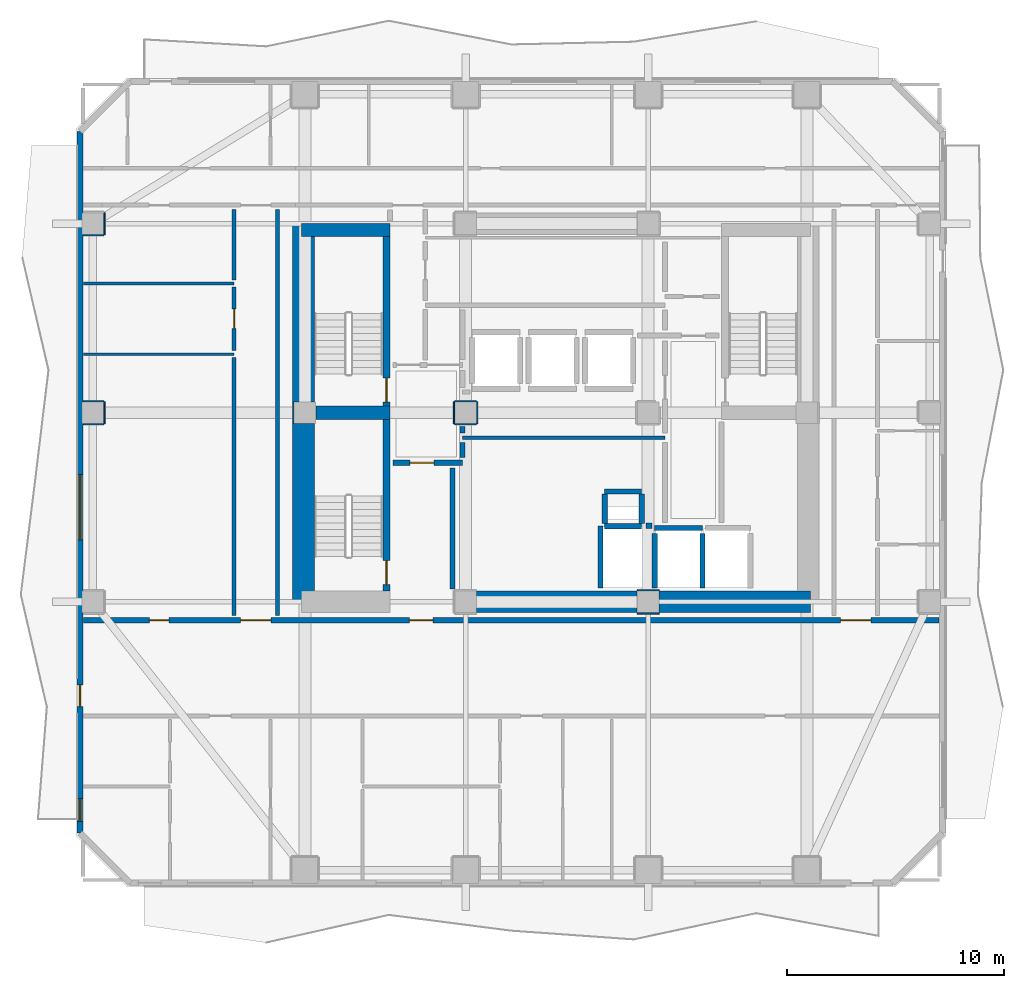
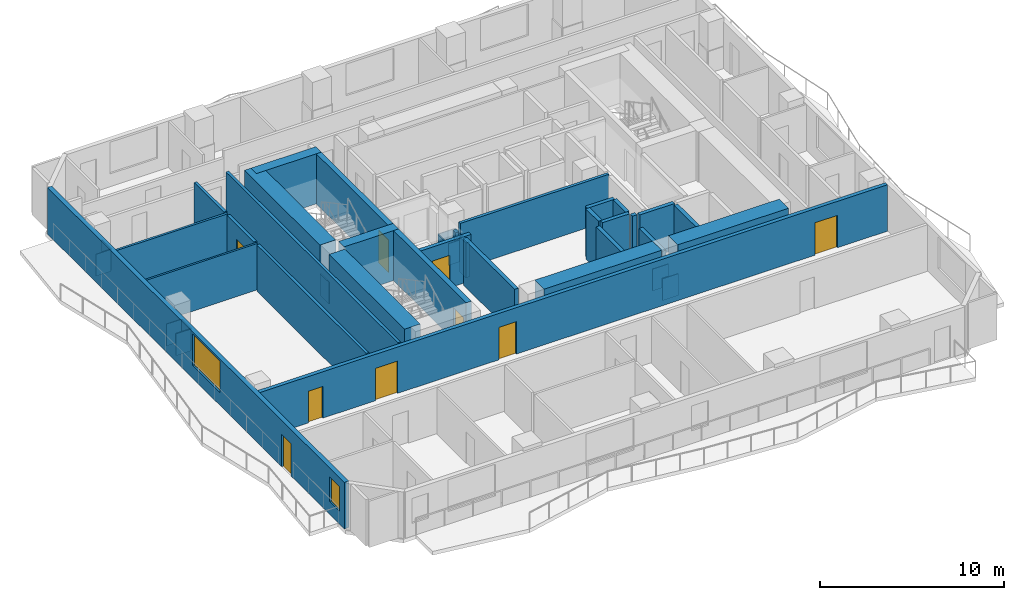
# One storey, part 3 of 10: 42 walls, 9 doors, 2 windows, 11 openings.
"""IFC4 building model written with IfcOpenShell, lengths in metres."""

from ifc_helpers import new_model, si_unit, direction, frame, frame_2d, origin, place, context, subcontext, project, spatial, rectangle, extrude, material, layer, layer_set, type_object, element, fill, save


model = new_model("IFC4")

# Units and contexts
model_context = context("Model", 3, precision=1e-05, world=origin(), true_north=direction((0.0, 1.0)))
body_context = subcontext(model_context, "Body", "Model", "MODEL_VIEW")
ifc_project = project(units=[si_unit("LENGTHUNIT", "METRE"), si_unit("AREAUNIT", "SQUARE_METRE"), si_unit("VOLUMEUNIT", "CUBIC_METRE"), si_unit("PLANEANGLEUNIT", "RADIAN"), si_unit("MASSUNIT", "GRAM", prefix="KILO")], contexts=[model_context])

# Site, building, storey
site_placement = place(None, origin())
site = spatial("IfcSite", under=ifc_project, at=site_placement, CompositionType="ELEMENT")
building_placement = place(site_placement, origin())
building = spatial("IfcBuilding", under=site, at=building_placement, Name="Solanera Arch Residences", CompositionType="ELEMENT")
storey_placement = place(building_placement, frame((0.0, 0.0, 119.360107421875)))
storey = spatial("IfcBuildingStorey", under=building, at=storey_placement, Name="L34", CompositionType="ELEMENT", Elevation=119.360107421875)

# Walls
ifc_material_1 = material(Name="Fire-Rated Gypsum Stud Partition", Category="gypsum")
ifc_layer_1 = layer(ifc_material_1, 0.06005859375)
ifc_layer_set_1 = layer_set([ifc_layer_1], Name="Fire-Rated Gypsum Stud Partition")
wall_type_1 = type_object("IfcWallType", Name="Column Acoustic Furring Wall 60", PredefinedType="PARTITIONING", material=ifc_layer_set_1)
for number, where, z_axis, x_axis, name in (
    (1, (28.699951171875, 21.468017578125, 0.0), (0.0, 0.0, 1.0), (1.0, 0.0, 0.0), "L34 Column Furring 2S"),
    (2, (28.699951171875, 22.531982421875, 0.0), (0.0, 0.0, 1.0), (1.0, 0.0, 0.0), "L34 Column Furring 2N"),
):
    element("IfcWall", number, at=place(storey_placement, frame(where, z_axis=z_axis, x_axis=x_axis)), inside=storey, type_object=wall_type_1, Name=name, PredefinedType="PARTITIONING", context=body_context, shape_type="SweptSolid", body=[
        extrude(rectangle(XDim=1.0, YDim=0.06005859375, at=frame_2d((0.5, 0.0))), origin(), (0.0, 0.0, 1.0), 1.449951171875),
    ])
wall_1_placement = place(storey_placement, frame((12.867919921875, 30.2099609375, 0.0), z_axis=(0.0, 0.0, 1.0), x_axis=(0.0, 1.0, 0.0)))
element("IfcWall", 3, at=wall_1_placement, inside=storey, type_object=wall_type_1, Name="L34 Column Furring 5W", PredefinedType="PARTITIONING", context=body_context, shape_type="SweptSolid", body=[
    extrude(rectangle(XDim=0.97998046875, YDim=0.06005859375, at=frame_2d((0.489990234375, 0.0))), origin(), (0.0, 0.0, 1.0), 1.449951171875),
])
for number, where, z_axis, x_axis, name in (
    (4, (20.300048828125, 30.16796875, 0.0), (0.0, 0.0, 1.0), (1.0, 0.0, 0.0), "L34 Column Furring 7S"),
    (5, (20.300048828125, 31.23193359375, 0.0), (0.0, 0.0, 1.0), (1.0, 0.0, 0.0), "L34 Column Furring 7N"),
    (6, (20.26806640625, 30.199951171875, 0.0), (0.0, 0.0, 1.0), (0.0, 1.0, 0.0), "L34 Column Furring 7W"),
    (7, (21.33203125, 30.199951171875, 0.0), (0.0, 0.0, 1.0), (0.0, 1.0, 0.0), "L34 Column Furring 7E"),
):
    element("IfcWall", number, at=place(storey_placement, frame(where, z_axis=z_axis, x_axis=x_axis)), inside=storey, type_object=wall_type_1, Name=name, PredefinedType="PARTITIONING", context=body_context, shape_type="SweptSolid", body=[
        extrude(rectangle(XDim=1.0, YDim=0.06005859375, at=frame_2d((0.5, 0.0))), origin(), (0.0, 0.0, 1.0), 1.449951171875),
    ])
for number, where, z_axis, x_axis, name in (
    (8, (3.2099609375, 30.16796875, 0.0), (0.0, 0.0, 1.0), (1.0, 0.0, 0.0), "L34 Column Furring 19S"),
    (9, (3.2099609375, 31.23193359375, 0.0), (0.0, 0.0, 1.0), (1.0, 0.0, 0.0), "L34 Column Furring 19N"),
):
    element("IfcWall", number, at=place(storey_placement, frame(where, z_axis=z_axis, x_axis=x_axis)), inside=storey, type_object=wall_type_1, Name=name, PredefinedType="PARTITIONING", context=body_context, shape_type="SweptSolid", body=[
        extrude(rectangle(XDim=0.93994140625, YDim=0.06005859375, at=frame_2d((0.469970703125, 0.0))), origin(), (0.0, 0.0, 1.0), 1.449951171875),
    ])
wall_2_placement = place(storey_placement, frame((4.181884765625, 30.199951171875, 0.0), z_axis=(0.0, 0.0, 1.0), x_axis=(0.0, 1.0, 0.0)))
element("IfcWall", 10, at=wall_2_placement, inside=storey, type_object=wall_type_1, Name="L34 Column Furring 19E", PredefinedType="PARTITIONING", context=body_context, shape_type="SweptSolid", body=[
    extrude(rectangle(XDim=1.0, YDim=0.06005859375, at=frame_2d((0.5, 0.0))), origin(), (0.0, 0.0, 1.0), 1.449951171875),
])
wall_3_placement = place(storey_placement, frame((3.2099609375, 38.867919921875, 0.0), z_axis=(0.0, 0.0, 1.0), x_axis=(1.0, 0.0, 0.0)))
element("IfcWall", 11, at=wall_3_placement, inside=storey, type_object=wall_type_1, Name="L34 Column Furring 21S", PredefinedType="PARTITIONING", context=body_context, shape_type="SweptSolid", body=[
    extrude(rectangle(XDim=0.93994140625, YDim=0.06005859375, at=frame_2d((0.469970703125, 0.0))), origin(), (0.0, 0.0, 1.0), 1.449951171875),
])
wall_4_placement = place(storey_placement, frame((4.181884765625, 38.89990234375, 0.0), z_axis=(0.0, 0.0, 1.0), x_axis=(0.0, 1.0, 0.0)))
element("IfcWall", 12, at=wall_4_placement, inside=storey, type_object=wall_type_1, Name="L34 Column Furring 21E", PredefinedType="PARTITIONING", context=body_context, shape_type="SweptSolid", body=[
    extrude(rectangle(XDim=1.0, YDim=0.06005859375, at=frame_2d((0.5, 0.0))), origin(), (0.0, 0.0, 1.0), 1.449951171875),
])
ifc_material_2 = material(Name="Concrete C55/67 (f'c = 60 MPa)", Category="concrete")
ifc_layer_2 = layer(ifc_material_2, 1.0)
ifc_layer_set_2 = layer_set([ifc_layer_2], Name="Concrete C55/67 (f'c = 60 MPa)")
wall_type_2 = type_object("IfcWallType", Name="Core Shear Wall CW-1000", PredefinedType="SHEAR", material=ifc_layer_set_2)
wall_5_placement = place(storey_placement, frame((13.340087890625, 22.0, 0.0), z_axis=(0.0, 0.0, 1.0), x_axis=(0.0, 1.0, 0.0)))
element("IfcWall", 13, at=wall_5_placement, inside=storey, type_object=wall_type_2, Name="L34 West Core South Shear Wall", PredefinedType="SHEAR", context=body_context, shape_type="SweptSolid", body=[
    extrude(rectangle(XDim=8.195068359375, YDim=1.0, at=frame_2d((4.09765625, 0.0))), origin(), (0.0, 0.0, 1.0), 3.31982421875),
])
wall_6_placement = place(storey_placement, frame((13.340087890625, 31.205078125, 0.0), z_axis=(0.0, 0.0, 1.0), x_axis=(0.0, 1.0, 0.0)))
element("IfcWall", 14, at=wall_6_placement, inside=storey, type_object=wall_type_2, Name="L34 West Core North Shear Wall", PredefinedType="SHEAR", context=body_context, shape_type="SweptSolid", body=[
    extrude(rectangle(XDim=8.19482421875, YDim=1.0, at=frame_2d((4.097412109375, 0.0))), origin(), (0.0, 0.0, 1.0), 3.31982421875),
])
wall_7_placement = place(storey_placement, frame((29.705078125, 22.0, 0.0), z_axis=(0.0, 0.0, 1.0), x_axis=(1.0, 0.0, 0.0)))
element("IfcWall", 15, at=wall_7_placement, inside=storey, type_object=wall_type_2, Name="L34 South-East Core Shear Wall", PredefinedType="SHEAR", context=body_context, shape_type="SweptSolid", body=[
    extrude(rectangle(XDim=6.954833984375, YDim=1.0, at=frame_2d((3.4775390625, 0.0))), origin(), (0.0, 0.0, 1.0), 3.31982421875),
])
wall_8_placement = place(storey_placement, frame((21.304931640625, 22.0, 0.0), z_axis=(0.0, 0.0, 1.0), x_axis=(1.0, 0.0, 0.0)))
element("IfcWall", 16, at=wall_8_placement, inside=storey, type_object=wall_type_2, Name="L34 Central South Core Shear Wall", PredefinedType="SHEAR", context=body_context, shape_type="SweptSolid", body=[
    extrude(rectangle(XDim=7.39013671875, YDim=1.0, at=frame_2d((3.695068359375, 0.0))), origin(), (0.0, 0.0, 1.0), 3.31982421875),
])

# Wall, opening, door
ifc_material_3 = material(Name="Concrete C40/50 (f'c = 45 MPa)", Category="concrete")
ifc_layer_3 = layer(ifc_material_3, 0.320068359375)
ifc_layer_set_3 = layer_set([ifc_layer_3], Name="Concrete C40/50 (f'c = 45 MPa)")
wall_type_3 = type_object("IfcWallType", Name="Core Shear Wall CW-320", PredefinedType="SHEAR", material=ifc_layer_set_3)
wall_9_placement = place(storey_placement, frame((17.159912109375, 31.0, 0.0), z_axis=(0.0, 0.0, 1.0), x_axis=(0.0, 1.0, 0.0)))
wall_9 = element("IfcWall", 17, at=wall_9_placement, inside=storey, type_object=wall_type_3, Name="L34 Stair ST-T1 East Shear Wall", PredefinedType="SHEAR", context=body_context, shape_type="SweptSolid", body=[
    extrude(rectangle(XDim=7.800048828125, YDim=0.320068359375, at=frame_2d((3.89990234375, 0.0))), origin(), (0.0, 0.0, 1.0), 3.31982421875),
])
opening_1_placement = place(wall_9_placement, frame((0.18994140625, 0.0, 0.0)))
opening_1 = element("IfcOpeningElement", 18, at=opening_1_placement, cuts=wall_9, Name="Opening DF-01", PredefinedType="OPENING", context=body_context, shape_type="SweptSolid", body=[
    extrude(rectangle(XDim=1.10009765625, YDim=2.14990234375, at=frame_2d((0.550048828125, 1.074951171875))), frame((0.0, 0.169921875, 0.0), z_axis=(0.0, -1.0, 0.0), x_axis=(1.0, 0.0, 0.0)), (0.0, 0.0, 1.0), 0.3401),
])
ifc_material_4 = material(Name="Fire-Rated Architectural Hardwood", Category="wood")
door_type_1 = type_object("IfcDoorType", Name="Stair Exit Fire Door DF-01", OperationType="NOTDEFINED", PredefinedType="DOOR", material=ifc_material_4)
door_1_placement = place(opening_1_placement, origin())
door_1 = element("IfcDoor", 19, at=door_1_placement, inside=storey, type_object=door_type_1, Name="DR-L34-STAIR-ST-T1", OperationType="SINGLE_SWING_RIGHT", OverallHeight=2.14990234375, OverallWidth=1.10009765625, PredefinedType="DOOR", context=body_context, shape_type="SweptSolid", body=[
    extrude(rectangle(XDim=1.10009765625, YDim=2.14990234375, at=frame_2d((0.550048828125, 1.074951171875))), frame((0.0, 0.02490234375, 0.0), z_axis=(0.0, -1.0, 0.0), x_axis=(1.0, 0.0, 0.0)), (0.0, 0.0, 1.0), 0.050048828125),
])
fill(opening_1, door_1)

wall_10_placement = place(storey_placement, frame((17.159912109375, 22.5, 0.0), z_axis=(0.0, 0.0, 1.0), x_axis=(0.0, 1.0, 0.0)))
wall_10 = element("IfcWall", 20, at=wall_10_placement, inside=storey, type_object=wall_type_3, Name="L34 Stair ST-T3 East Shear Wall", PredefinedType="SHEAR", context=body_context, shape_type="SweptSolid", body=[
    extrude(rectangle(XDim=7.89990234375, YDim=0.320068359375, at=frame_2d((3.949951171875, 0.0))), origin(), (0.0, 0.0, 1.0), 3.31982421875),
])
opening_2_placement = place(wall_10_placement, frame((0.2900390625, 0.0, 0.0)))
opening_2 = element("IfcOpeningElement", 21, at=opening_2_placement, cuts=wall_10, Name="Opening DF-01", PredefinedType="OPENING", context=body_context, shape_type="SweptSolid", body=[
    extrude(rectangle(XDim=1.10009765625, YDim=2.14990234375, at=frame_2d((0.550048828125, 1.074951171875))), frame((0.0, 0.169921875, 0.0), z_axis=(0.0, -1.0, 0.0), x_axis=(1.0, 0.0, 0.0)), (0.0, 0.0, 1.0), 0.3401),
])
door_2_placement = place(opening_2_placement, origin())
door_2 = element("IfcDoor", 22, at=door_2_placement, inside=storey, type_object=door_type_1, Name="DR-L34-STAIR-ST-T3", OperationType="SINGLE_SWING_RIGHT", OverallHeight=2.14990234375, OverallWidth=1.10009765625, PredefinedType="DOOR", context=body_context, shape_type="SweptSolid", body=[
    extrude(rectangle(XDim=1.10009765625, YDim=2.14990234375, at=frame_2d((0.550048828125, 1.074951171875))), frame((0.0, 0.02490234375, 0.0), z_axis=(0.0, -1.0, 0.0), x_axis=(1.0, 0.0, 0.0)), (0.0, 0.0, 1.0), 0.050048828125),
])
fill(opening_2, door_2)

# Walls
ifc_material_5 = material(Name="Concrete C40/50 (f'c = 45 MPa)", Category="concrete")
ifc_layer_4 = layer(ifc_material_5, 0.60009765625)
ifc_layer_set_4 = layer_set([ifc_layer_4], Name="Concrete C40/50 (f'c = 45 MPa)")
wall_type_4 = type_object("IfcWallType", Name="Core Shear Wall CW-600", PredefinedType="SHEAR", material=ifc_layer_set_4)
wall_11_placement = place(storey_placement, frame((13.239990234375, 39.10009765625, 0.0), z_axis=(0.0, 0.0, 1.0), x_axis=(1.0, 0.0, 0.0)))
element("IfcWall", 23, at=wall_11_placement, inside=storey, type_object=wall_type_4, Name="L34 North-West Core Shear Wall", PredefinedType="SHEAR", context=body_context, shape_type="SweptSolid", body=[
    extrude(rectangle(XDim=4.080078125, YDim=0.60009765625, at=frame_2d((2.0400390625, 0.0))), origin(), (0.0, 0.0, 1.0), 3.31982421875),
])
wall_12_placement = place(storey_placement, frame((13.905029296875, 30.699951171875, 0.0), z_axis=(0.0, 0.0, 1.0), x_axis=(1.0, 0.0, 0.0)))
element("IfcWall", 24, at=wall_12_placement, inside=storey, type_object=wall_type_4, Name="L34 West Stair Divider Shear Wall", PredefinedType="SHEAR", context=body_context, shape_type="SweptSolid", body=[
    extrude(rectangle(XDim=3.4150390625, YDim=0.60009765625, at=frame_2d((1.70751953125, 0.0))), origin(), (0.0, 0.0, 1.0), 3.31982421875),
])
ifc_material_6 = material(Name="Autoclaved Aerated Concrete Blockwork", Category="masonry")
ifc_layer_5 = layer(ifc_material_6, 0.179931640625)
ifc_layer_set_5 = layer_set([ifc_layer_5], Name="Autoclaved Aerated Concrete Blockwork")
wall_type_5 = type_object("IfcWallType", Name="Corridor Fire Partition 180", PredefinedType="PARTITIONING", material=ifc_layer_set_5)
wall_13_placement = place(storey_placement, frame((20.64990234375, 29.550048828125, 0.0), z_axis=(0.0, 0.0, 1.0), x_axis=(1.0, 0.0, 0.0)))
element("IfcWall", 25, at=wall_13_placement, inside=storey, type_object=wall_type_5, Name="L34 Interior Partition H8", PredefinedType="PARTITIONING", context=body_context, shape_type="SweptSolid", body=[
    extrude(rectangle(XDim=9.3251953125, YDim=0.179931640625, at=frame_2d((4.66259765625, 0.0))), origin(), (0.0, 0.0, 1.0), 3.079833984375),
])
wall_14_placement = place(storey_placement, frame((10.14990234375, 21.367919921875, 0.0), z_axis=(0.0, 0.0, 1.0), x_axis=(0.0, 1.0, 0.0)))
element("IfcWall", 26, at=wall_14_placement, inside=storey, type_object=wall_type_5, Name="L34 Interior Partition V8 1", PredefinedType="PARTITIONING", context=body_context, shape_type="SweptSolid", body=[
    extrude(rectangle(XDim=11.8740234375, YDim=0.179931640625, at=frame_2d((5.93701171875, 0.0))), origin(), (0.0, 0.0, 1.0), 3.079833984375),
])

# Wall, opening, door
wall_15_placement = place(storey_placement, frame((10.14990234375, 33.55810546875, 0.0), z_axis=(0.0, 0.0, 1.0), x_axis=(0.0, 1.0, 0.0)))
wall_15 = element("IfcWall", 27, at=wall_15_placement, inside=storey, type_object=wall_type_5, Name="L34 Interior Partition V8 2", PredefinedType="PARTITIONING", context=body_context, shape_type="SweptSolid", body=[
    extrude(rectangle(XDim=2.923828125, YDim=0.179931640625, at=frame_2d((1.4619140625, 0.0))), origin(), (0.0, 0.0, 1.0), 3.079833984375),
])
opening_3_placement = place(wall_15_placement, frame((1.01708984375, 0.0, 0.0)))
opening_3 = element("IfcOpeningElement", 28, at=opening_3_placement, cuts=wall_15, Name="Opening DI-02", PredefinedType="OPENING", context=body_context, shape_type="SweptSolid", body=[
    extrude(rectangle(XDim=0.89990234375, YDim=2.10009765625, at=frame_2d((0.449951171875, 1.050048828125))), frame((0.0, 0.10009765625, 0.0), z_axis=(0.0, -1.0, 0.0), x_axis=(1.0, 0.0, 0.0)), (0.0, 0.0, 1.0), 0.1999),
])
ifc_material_7 = material(Name="Fire-Rated Architectural Hardwood", Category="wood")
door_type_2 = type_object("IfcDoorType", Name="Suite Room Swing Door DI-02", OperationType="NOTDEFINED", PredefinedType="DOOR", material=ifc_material_7)
door_3_placement = place(opening_3_placement, origin())
door_3 = element("IfcDoor", 29, at=door_3_placement, inside=storey, type_object=door_type_2, Name="DR-L34-IN-032", OperationType="SINGLE_SWING_LEFT", OverallHeight=2.10009765625, OverallWidth=0.89990234375, PredefinedType="DOOR", context=body_context, shape_type="SweptSolid", body=[
    extrude(rectangle(XDim=0.89990234375, YDim=2.10009765625, at=frame_2d((0.449951171875, 1.050048828125))), frame((0.0, 0.02490234375, 0.0), z_axis=(0.0, -1.0, 0.0), x_axis=(1.0, 0.0, 0.0)), (0.0, 0.0, 1.0), 0.050048828125),
])
fill(opening_3, door_3)

# Walls
wall_16_placement = place(storey_placement, frame((10.14990234375, 36.818115234375, 0.0), z_axis=(0.0, 0.0, 1.0), x_axis=(0.0, 1.0, 0.0)))
element("IfcWall", 30, at=wall_16_placement, inside=storey, type_object=wall_type_5, Name="L34 Interior Partition V8 3", PredefinedType="PARTITIONING", context=body_context, shape_type="SweptSolid", body=[
    extrude(rectangle(XDim=3.243896484375, YDim=0.179931640625, at=frame_2d((1.6220703125, 0.0))), origin(), (0.0, 0.0, 1.0), 3.079833984375),
])
wall_17_placement = place(storey_placement, frame((12.14990234375, 21.367919921875, 0.0), z_axis=(0.0, 0.0, 1.0), x_axis=(0.0, 1.0, 0.0)))
element("IfcWall", 31, at=wall_17_placement, inside=storey, type_object=wall_type_5, Name="L34 Interior Partition V9", PredefinedType="PARTITIONING", context=body_context, shape_type="SweptSolid", body=[
    extrude(rectangle(XDim=18.694091796875, YDim=0.179931640625, at=frame_2d((9.34716796875, 0.0))), origin(), (0.0, 0.0, 1.0), 3.079833984375),
])

# Wall, openings, door, windows
ifc_material_8 = material(Name="Precast Concrete C35/45", Category="concrete")
ifc_layer_6 = layer(ifc_material_8, 0.280029296875)
ifc_layer_set_6 = layer_set([ifc_layer_6], Name="Precast Concrete C35/45")
wall_type_6 = type_object("IfcWallType", Name="Exterior Wall Precast Masonry-Frame 280", PredefinedType="STANDARD", material=ifc_layer_set_6)
wall_18_placement = place(storey_placement, frame((3.054931640625, 11.35498046875, 0.0), z_axis=(0.0, 0.0, 1.0), x_axis=(0.0, 1.0, 0.0)))
wall_18 = element("IfcWall", 32, at=wall_18_placement, inside=storey, type_object=wall_type_6, Name="L34 Tower Exterior Precast Masonry-Frame Wall W", PredefinedType="STANDARD", context=body_context, shape_type="SweptSolid", body=[
    extrude(rectangle(XDim=32.2900390625, YDim=0.280029296875, at=frame_2d((16.14501953125, 0.0))), origin(), (0.0, 0.0, 1.0), 3.079833984375),
])
opening_4_placement = place(wall_18_placement, frame((5.818115234375, 0.0, 0.0)))
opening_4 = element("IfcOpeningElement", 33, at=opening_4_placement, cuts=wall_18, Name="Opening DB-01", PredefinedType="OPENING", context=body_context, shape_type="SweptSolid", body=[
    extrude(rectangle(XDim=1.0, YDim=2.14990234375, at=frame_2d((0.5, 1.074951171875))), frame((0.0, 0.14990234375, 0.0), z_axis=(0.0, -1.0, 0.0), x_axis=(1.0, 0.0, 0.0)), (0.0, 0.0, 1.0), 0.3),
])
opening_5_placement = place(wall_18_placement, frame((0.544921875, 0.0, 0.85009765625)))
opening_5 = element("IfcOpeningElement", 34, at=opening_5_placement, cuts=wall_18, Name="Opening W-07", PredefinedType="OPENING", context=body_context, shape_type="SweptSolid", body=[
    extrude(rectangle(XDim=1.050048828125, YDim=1.64990234375, at=frame_2d((0.52490234375, 0.824951171875))), frame((0.0, 0.14990234375, 0.0), z_axis=(0.0, -1.0, 0.0), x_axis=(1.0, 0.0, 0.0)), (0.0, 0.0, 1.0), 0.3),
])
opening_6_placement = place(wall_18_placement, frame((13.4951171875, 0.0, 0.85009765625)))
opening_6 = element("IfcOpeningElement", 35, at=opening_6_placement, cuts=wall_18, Name="Opening W-12", PredefinedType="OPENING", context=body_context, shape_type="SweptSolid", body=[
    extrude(rectangle(XDim=3.0, YDim=2.10009765625, at=frame_2d((1.5, 1.050048828125))), frame((0.0, 0.14990234375, 0.0), z_axis=(0.0, -1.0, 0.0), x_axis=(1.0, 0.0, 0.0)), (0.0, 0.0, 1.0), 0.3),
])
ifc_material_9 = material(Name="Anodised Aluminium Alloy 6063-T6", Category="aluminium")
door_type_3 = type_object("IfcDoorType", Name="Glazed Balcony Swing Door DB-01", OperationType="NOTDEFINED", PredefinedType="DOOR", material=ifc_material_9)
door_4_placement = place(opening_4_placement, origin())
door_4 = element("IfcDoor", 36, at=door_4_placement, inside=storey, type_object=door_type_3, Name="DR-L34-OUT-04", OperationType="SINGLE_SWING_LEFT", OverallHeight=2.14990234375, OverallWidth=1.0, PredefinedType="DOOR", context=body_context, shape_type="SweptSolid", body=[
    extrude(rectangle(XDim=1.0, YDim=2.14990234375, at=frame_2d((0.5, 1.074951171875))), frame((0.0, 0.02490234375, 0.0), z_axis=(0.0, -1.0, 0.0), x_axis=(1.0, 0.0, 0.0)), (0.0, 0.0, 1.0), 0.050048828125),
])
fill(opening_4, door_4)
ifc_material_10 = material(Name="Double Glazed Low-E Laminated Glass", Category="glass")
window_type_1 = type_object("IfcWindowType", Name="Punched Window W-07", PartitioningType="SINGLE_PANEL", PredefinedType="WINDOW", material=ifc_material_10)
window_1_placement = place(opening_5_placement, origin())
window_1 = element("IfcWindow", 37, at=window_1_placement, inside=storey, type_object=window_type_1, Name="L34 3401-BR1 Punched Window", OverallHeight=1.64990234375, OverallWidth=1.050048828125, PartitioningType="SINGLE_PANEL", PredefinedType="WINDOW", context=body_context, shape_type="SweptSolid", body=[
    extrude(rectangle(XDim=1.050048828125, YDim=1.64990234375, at=frame_2d((0.52490234375, 0.824951171875))), frame((0.0, 0.030029296875, 0.0), z_axis=(0.0, -1.0, 0.0), x_axis=(1.0, 0.0, 0.0)), (0.0, 0.0, 1.0), 0.06005859375),
])
fill(opening_5, window_1)
ifc_material_11 = material(Name="Double Glazed Low-E Laminated Glass", Category="glass")
window_type_2 = type_object("IfcWindowType", Name="Punched Window W-12", PartitioningType="TRIPLE_PANEL_VERTICAL", PredefinedType="WINDOW", material=ifc_material_11)
window_2_placement = place(opening_6_placement, origin())
window_2 = element("IfcWindow", 38, at=window_2_placement, inside=storey, type_object=window_type_2, Name="L34 AMN-FIT Punched Window", OverallHeight=2.10009765625, OverallWidth=3.0, PartitioningType="SINGLE_PANEL", PredefinedType="WINDOW", context=body_context, shape_type="SweptSolid", body=[
    extrude(rectangle(XDim=3.0, YDim=2.10009765625, at=frame_2d((1.5, 1.050048828125))), frame((0.0, 0.030029296875, 0.0), z_axis=(0.0, -1.0, 0.0), x_axis=(1.0, 0.0, 0.0)), (0.0, 0.0, 1.0), 0.06005859375),
])
fill(opening_6, window_2)

# Walls
ifc_material_12 = material(Name="Concrete C40/50 (f'c = 45 MPa)", Category="concrete")
ifc_layer_7 = layer(ifc_material_12, 0.239990234375)
ifc_layer_set_7 = layer_set([ifc_layer_7], Name="Concrete C40/50 (f'c = 45 MPa)")
wall_type_7 = type_object("IfcWallType", Name="Ramp Bearing Shear Wall RW-240", PredefinedType="SHEAR", material=ifc_layer_set_7)
for number, where, z_axis, x_axis, name in (
    (39, (27.199951171875, 25.47998046875, 0.0), (0.0, 0.0, 1.0), (1.0, 0.0, 0.0), "L34 Core MEP Riser South Shaft Wall"),
    (40, (27.199951171875, 27.080078125, 0.0), (0.0, 0.0, 1.0), (1.0, 0.0, 0.0), "L34 Core MEP Riser North Shaft Wall"),
):
    element("IfcWall", number, at=place(storey_placement, frame(where, z_axis=z_axis, x_axis=x_axis)), inside=storey, type_object=wall_type_7, Name=name, PredefinedType="SHEAR", context=body_context, shape_type="SweptSolid", body=[
        extrude(rectangle(XDim=1.699951171875, YDim=0.239990234375, at=frame_2d((0.85009765625, 0.0))), origin(), (0.0, 0.0, 1.0), 3.31982421875),
    ])
for number, where, z_axis, x_axis, name in (
    (41, (27.199951171875, 25.60009765625, 0.0), (0.0, 0.0, 1.0), (0.0, 1.0, 0.0), "L34 Core MEP Riser West Shaft Wall"),
    (42, (28.89990234375, 25.60009765625, 0.0), (0.0, 0.0, 1.0), (0.0, 1.0, 0.0), "L34 Core MEP Riser East Shaft Wall"),
):
    element("IfcWall", number, at=place(storey_placement, frame(where, z_axis=z_axis, x_axis=x_axis)), inside=storey, type_object=wall_type_7, Name=name, PredefinedType="SHEAR", context=body_context, shape_type="SweptSolid", body=[
        extrude(rectangle(XDim=1.35986328125, YDim=0.239990234375, at=frame_2d((0.679931640625, 0.0))), origin(), (0.0, 0.0, 1.0), 3.31982421875),
    ])
ifc_material_13 = material(Name="Autoclaved Aerated Concrete Blockwork", Category="masonry")
ifc_layer_8 = layer(ifc_material_13, 0.239990234375)
ifc_layer_set_8 = layer_set([ifc_layer_8], Name="Autoclaved Aerated Concrete Blockwork")
wall_type_8 = type_object("IfcWallType", Name="Shaft Wall Fire-Rated 240", PredefinedType="PARTITIONING", material=ifc_layer_set_8)
wall_19_placement = place(storey_placement, frame((29.5, 25.39990234375, 0.0), z_axis=(0.0, 0.0, 1.0), x_axis=(1.0, 0.0, 0.0)))
element("IfcWall", 43, at=wall_19_placement, inside=storey, type_object=wall_type_8, Name="L34 Lift FFL-1 Hoistway Wall N", PredefinedType="PARTITIONING", context=body_context, shape_type="SweptSolid", body=[
    extrude(rectangle(XDim=2.199951171875, YDim=0.239990234375, at=frame_2d((1.10009765625, 0.0))), origin(), (0.0, 0.0, 1.0), 3.079833984375),
])
wall_20_placement = place(storey_placement, frame((29.5, 22.632080078125, 0.0), z_axis=(0.0, 0.0, 1.0), x_axis=(0.0, 1.0, 0.0)))
element("IfcWall", 44, at=wall_20_placement, inside=storey, type_object=wall_type_8, Name="L34 Lift FFL-1 Hoistway Wall W", PredefinedType="PARTITIONING", context=body_context, shape_type="SweptSolid", body=[
    extrude(rectangle(XDim=2.52001953125, YDim=0.239990234375, at=frame_2d((1.260009765625, 0.0))), origin(), (0.0, 0.0, 1.0), 2.31494140625),
])
wall_21_placement = place(storey_placement, frame((31.699951171875, 22.6298828125, 0.0), z_axis=(0.0, 0.0, 1.0), x_axis=(0.0, 1.0, 0.0)))
element("IfcWall", 45, at=wall_21_placement, inside=storey, type_object=wall_type_8, Name="L34 Lift FFL-1 Hoistway Wall E", PredefinedType="PARTITIONING", context=body_context, shape_type="SweptSolid", body=[
    extrude(rectangle(XDim=2.522216796875, YDim=0.239990234375, at=frame_2d((1.26123046875, 0.0))), origin(), (0.0, 0.0, 1.0), 3.079833984375),
])
wall_22_placement = place(storey_placement, frame((29.10302734375, 25.5, 0.0), z_axis=(0.0, 0.0, 1.0), x_axis=(1.0, 0.0, 0.0)))
element("IfcWall", 46, at=wall_22_placement, inside=storey, type_object=wall_type_8, Name="L34 Lift SVL-1 Hoistway Wall N", PredefinedType="PARTITIONING", context=body_context, shape_type="SweptSolid", body=[
    extrude(rectangle(XDim=0.26904296875, YDim=0.239990234375, at=frame_2d((0.134521484375, 0.0))), origin(), (0.0, 0.0, 1.0), 3.079833984375),
])
wall_23_placement = place(storey_placement, frame((27.0, 22.6298828125, 0.0), z_axis=(0.0, 0.0, 1.0), x_axis=(0.0, 1.0, 0.0)))
element("IfcWall", 47, at=wall_23_placement, inside=storey, type_object=wall_type_8, Name="L34 Lift SVL-1 Hoistway Wall W", PredefinedType="PARTITIONING", context=body_context, shape_type="SweptSolid", body=[
    extrude(rectangle(XDim=2.8681640625, YDim=0.239990234375, at=frame_2d((1.43408203125, 0.0))), origin(), (0.0, 0.0, 1.0), 3.079833984375),
])

# Wall, openings, doors
wall_24_placement = place(storey_placement, frame((3.20703125, 21.14990234375, 0.0), z_axis=(0.0, 0.0, 1.0), x_axis=(1.0, 0.0, 0.0)))
wall_24 = element("IfcWall", 48, at=wall_24_placement, inside=storey, type_object=wall_type_8, Name="L34 Interior Partition H1", PredefinedType="PARTITIONING", context=body_context, shape_type="SweptSolid", body=[
    extrude(rectangle(XDim=39.385986328125, YDim=0.239990234375, at=frame_2d((19.69287109375, 0.0))), origin(), (0.0, 0.0, 1.0), 3.079833984375),
])
opening_7_placement = place(wall_24_placement, frame((15.0029296875, 0.0, 0.0)))
opening_7 = element("IfcOpeningElement", 49, at=opening_7_placement, cuts=wall_24, Name="Opening DF-02", PredefinedType="OPENING", context=body_context, shape_type="SweptSolid", body=[
    extrude(rectangle(XDim=1.10009765625, YDim=2.14990234375, at=frame_2d((0.550048828125, 1.074951171875))), frame((0.0, 0.1298828125, 0.0), z_axis=(0.0, -1.0, 0.0), x_axis=(1.0, 0.0, 0.0)), (0.0, 0.0, 1.0), 0.26),
])
opening_8_placement = place(wall_24_placement, frame((7.242919921875, 0.0, 0.0)))
opening_8 = element("IfcOpeningElement", 50, at=opening_8_placement, cuts=wall_24, Name="Opening DF-03", PredefinedType="OPENING", context=body_context, shape_type="SweptSolid", body=[
    extrude(rectangle(XDim=1.39990234375, YDim=2.14990234375, at=frame_2d((0.699951171875, 1.074951171875))), frame((0.0, 0.1298828125, 0.0), z_axis=(0.0, -1.0, 0.0), x_axis=(1.0, 0.0, 0.0)), (0.0, 0.0, 1.0), 0.26),
])
opening_9_placement = place(wall_24_placement, frame((34.843017578125, 0.0, 0.0)))
opening_9 = element("IfcOpeningElement", 51, at=opening_9_placement, cuts=wall_24, Name="Opening DF-03", PredefinedType="OPENING", context=body_context, shape_type="SweptSolid", body=[
    extrude(rectangle(XDim=1.39990234375, YDim=2.14990234375, at=frame_2d((0.699951171875, 1.074951171875))), frame((0.0, 0.1298828125, 0.0), z_axis=(0.0, -1.0, 0.0), x_axis=(1.0, 0.0, 0.0)), (0.0, 0.0, 1.0), 0.26),
])
opening_10_placement = place(wall_24_placement, frame((3.0419921875, 0.0, 0.0)))
opening_10 = element("IfcOpeningElement", 52, at=opening_10_placement, cuts=wall_24, Name="Opening DI-02", PredefinedType="OPENING", context=body_context, shape_type="SweptSolid", body=[
    extrude(rectangle(XDim=0.89990234375, YDim=2.10009765625, at=frame_2d((0.449951171875, 1.050048828125))), frame((0.0, 0.1298828125, 0.0), z_axis=(0.0, -1.0, 0.0), x_axis=(1.0, 0.0, 0.0)), (0.0, 0.0, 1.0), 0.26),
])
ifc_material_14 = material(Name="Fire-Rated Architectural Hardwood", Category="wood")
door_type_4 = type_object("IfcDoorType", Name="Corridor Smoke Door DF-03", OperationType="NOTDEFINED", PredefinedType="DOOR", material=ifc_material_14)
door_5_placement = place(opening_8_placement, origin())
door_5 = element("IfcDoor", 53, at=door_5_placement, inside=storey, type_object=door_type_4, Name="DR-L34-IN-010", OperationType="SINGLE_SWING_LEFT", OverallHeight=2.14990234375, OverallWidth=1.39990234375, PredefinedType="DOOR", context=body_context, shape_type="SweptSolid", body=[
    extrude(rectangle(XDim=1.39990234375, YDim=2.14990234375, at=frame_2d((0.699951171875, 1.074951171875))), frame((0.0, 0.02490234375, 0.0), z_axis=(0.0, -1.0, 0.0), x_axis=(1.0, 0.0, 0.0)), (0.0, 0.0, 1.0), 0.050048828125),
])
fill(opening_8, door_5)
door_6_placement = place(opening_9_placement, origin())
door_6 = element("IfcDoor", 54, at=door_6_placement, inside=storey, type_object=door_type_4, Name="DR-L34-IN-011", OperationType="SINGLE_SWING_RIGHT", OverallHeight=2.14990234375, OverallWidth=1.39990234375, PredefinedType="DOOR", context=body_context, shape_type="SweptSolid", body=[
    extrude(rectangle(XDim=1.39990234375, YDim=2.14990234375, at=frame_2d((0.699951171875, 1.074951171875))), frame((0.0, 0.02490234375, 0.0), z_axis=(0.0, -1.0, 0.0), x_axis=(1.0, 0.0, 0.0)), (0.0, 0.0, 1.0), 0.050048828125),
])
fill(opening_9, door_6)
ifc_material_15 = material(Name="Fire-Rated Architectural Hardwood", Category="wood")
door_type_5 = type_object("IfcDoorType", Name="Firefighting Lobby Fire Door DF-02", OperationType="NOTDEFINED", PredefinedType="DOOR", material=ifc_material_15)
door_7_placement = place(opening_7_placement, origin())
door_7 = element("IfcDoor", 55, at=door_7_placement, inside=storey, type_object=door_type_5, Name="DR-L34-IN-008", OperationType="SINGLE_SWING_LEFT", OverallHeight=2.14990234375, OverallWidth=1.10009765625, PredefinedType="DOOR", context=body_context, shape_type="SweptSolid", body=[
    extrude(rectangle(XDim=1.10009765625, YDim=2.14990234375, at=frame_2d((0.550048828125, 1.074951171875))), frame((0.0, 0.02490234375, 0.0), z_axis=(0.0, -1.0, 0.0), x_axis=(1.0, 0.0, 0.0)), (0.0, 0.0, 1.0), 0.050048828125),
])
fill(opening_7, door_7)
door_8_placement = place(opening_10_placement, origin())
door_8 = element("IfcDoor", 56, at=door_8_placement, inside=storey, type_object=door_type_2, Name="DR-L34-IN-031", OperationType="SINGLE_SWING_RIGHT", OverallHeight=2.10009765625, OverallWidth=0.89990234375, PredefinedType="DOOR", context=body_context, shape_type="SweptSolid", body=[
    extrude(rectangle(XDim=0.89990234375, YDim=2.10009765625, at=frame_2d((0.449951171875, 1.050048828125))), frame((0.0, 0.02490234375, 0.0), z_axis=(0.0, -1.0, 0.0), x_axis=(1.0, 0.0, 0.0)), (0.0, 0.0, 1.0), 0.050048828125),
])
fill(opening_10, door_8)

# Wall, opening, door
wall_25_placement = place(storey_placement, frame((17.449951171875, 28.39990234375, 0.0), z_axis=(0.0, 0.0, 1.0), x_axis=(1.0, 0.0, 0.0)))
wall_25 = element("IfcWall", 57, at=wall_25_placement, inside=storey, type_object=wall_type_8, Name="L34 Interior Partition H3", PredefinedType="PARTITIONING", context=body_context, shape_type="SweptSolid", body=[
    extrude(rectangle(XDim=3.199951171875, YDim=0.239990234375, at=frame_2d((1.60009765625, 0.0))), origin(), (0.0, 0.0, 1.0), 3.079833984375),
])
opening_11_placement = place(wall_25_placement, frame((0.783935546875, 0.0, 0.0)))
opening_11 = element("IfcOpeningElement", 58, at=opening_11_placement, cuts=wall_25, Name="Opening DF-02", PredefinedType="OPENING", context=body_context, shape_type="SweptSolid", body=[
    extrude(rectangle(XDim=1.10009765625, YDim=2.14990234375, at=frame_2d((0.550048828125, 1.074951171875))), frame((0.0, 0.1298828125, 0.0), z_axis=(0.0, -1.0, 0.0), x_axis=(1.0, 0.0, 0.0)), (0.0, 0.0, 1.0), 0.26),
])
door_9_placement = place(opening_11_placement, origin())
door_9 = element("IfcDoor", 59, at=door_9_placement, inside=storey, type_object=door_type_5, Name="DR-L34-IN-004", OperationType="SINGLE_SWING_LEFT", OverallHeight=2.14990234375, OverallWidth=1.10009765625, PredefinedType="DOOR", context=body_context, shape_type="SweptSolid", body=[
    extrude(rectangle(XDim=1.10009765625, YDim=2.14990234375, at=frame_2d((0.550048828125, 1.074951171875))), frame((0.0, 0.02490234375, 0.0), z_axis=(0.0, -1.0, 0.0), x_axis=(1.0, 0.0, 0.0)), (0.0, 0.0, 1.0), 0.050048828125),
])
fill(opening_11, door_9)

# Walls
wall_26_placement = place(storey_placement, frame((20.199951171875, 22.5859375, 0.0), z_axis=(0.0, 0.0, 1.0), x_axis=(0.0, 1.0, 0.0)))
element("IfcWall", 60, at=wall_26_placement, inside=storey, type_object=wall_type_8, Name="L34 Interior Partition V2", PredefinedType="PARTITIONING", context=body_context, shape_type="SweptSolid", body=[
    extrude(rectangle(XDim=5.566162109375, YDim=0.239990234375, at=frame_2d((2.783203125, 0.0))), origin(), (0.0, 0.0, 1.0), 3.079833984375),
])
wall_27_placement = place(storey_placement, frame((20.64990234375, 28.64794921875, 0.0), z_axis=(0.0, 0.0, 1.0), x_axis=(0.0, 1.0, 0.0)))
element("IfcWall", 61, at=wall_27_placement, inside=storey, type_object=wall_type_8, Name="L34 Interior Partition V3 1", PredefinedType="PARTITIONING", context=body_context, shape_type="SweptSolid", body=[
    extrude(rectangle(XDim=0.68408203125, YDim=0.239990234375, at=frame_2d((0.342041015625, 0.0))), origin(), (0.0, 0.0, 1.0), 2.31494140625),
])
wall_28_placement = place(storey_placement, frame((20.64990234375, 29.76806640625, 0.0), z_axis=(0.0, 0.0, 1.0), x_axis=(0.0, 1.0, 0.0)))
element("IfcWall", 62, at=wall_28_placement, inside=storey, type_object=wall_type_8, Name="L34 Interior Partition V3 2", PredefinedType="PARTITIONING", context=body_context, shape_type="SweptSolid", body=[
    extrude(rectangle(XDim=0.300048828125, YDim=0.239990234375, at=frame_2d((0.14990234375, 0.0))), origin(), (0.0, 0.0, 1.0), 2.31494140625),
])
ifc_material_16 = material(Name="Fire-Rated Gypsum Stud Partition", Category="gypsum")
ifc_layer_9 = layer(ifc_material_16, 0.1201171875)
ifc_layer_set_9 = layer_set([ifc_layer_9], Name="Fire-Rated Gypsum Stud Partition")
wall_type_9 = type_object("IfcWallType", Name="Unit Drywall Partition 120", PredefinedType="PARTITIONING", material=ifc_layer_set_9)
wall_29_placement = place(storey_placement, frame((3.20703125, 33.39990234375, 0.0), z_axis=(0.0, 0.0, 1.0), x_axis=(1.0, 0.0, 0.0)))
element("IfcWall", 63, at=wall_29_placement, inside=storey, type_object=wall_type_9, Name="L34 Interior Partition H20", PredefinedType="PARTITIONING", context=body_context, shape_type="SweptSolid", body=[
    extrude(rectangle(XDim=6.94287109375, YDim=0.1201171875, at=frame_2d((3.471435546875, 0.0))), origin(), (0.0, 0.0, 1.0), 3.079833984375),
])
ifc_material_17 = material(Name="Autoclaved Aerated Concrete Blockwork", Category="masonry")
ifc_layer_10 = layer(ifc_material_17, 0.139892578125)
ifc_layer_set_10 = layer_set([ifc_layer_10], Name="Autoclaved Aerated Concrete Blockwork")
wall_type_10 = type_object("IfcWallType", Name="Wet-Room Partition 140", PredefinedType="PARTITIONING", material=ifc_layer_set_10)
wall_30_placement = place(storey_placement, frame((3.20703125, 36.64990234375, 0.0), z_axis=(0.0, 0.0, 1.0), x_axis=(1.0, 0.0, 0.0)))
element("IfcWall", 64, at=wall_30_placement, inside=storey, type_object=wall_type_10, Name="L34 Interior Partition H16", PredefinedType="PARTITIONING", context=body_context, shape_type="SweptSolid", body=[
    extrude(rectangle(XDim=6.94287109375, YDim=0.139892578125, at=frame_2d((3.471435546875, 0.0))), origin(), (0.0, 0.0, 1.0), 3.079833984375),
])

save(model, "model.ifc")
